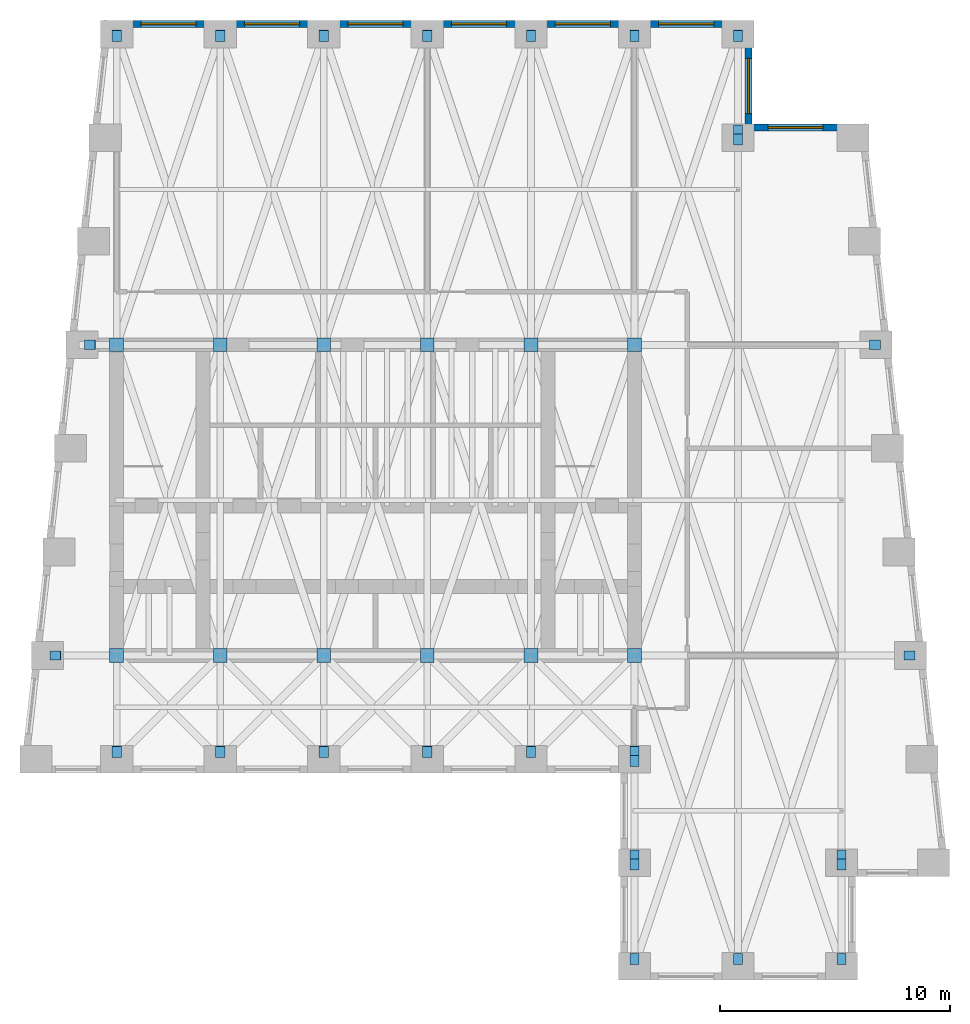
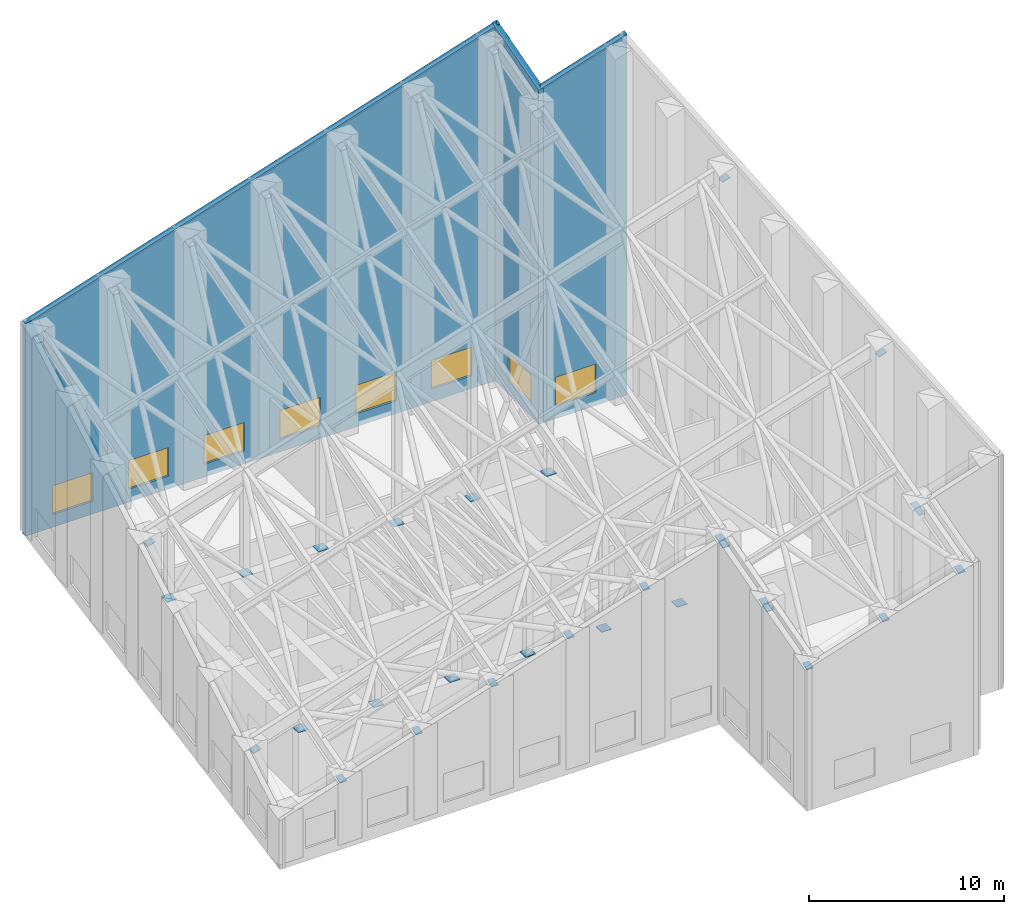
# One storey, part 6 of 7: 39 discrete accessories, 8 windows, 3 walls, 8 openings.
"""IFC4 building model written with IfcOpenShell, lengths in metres."""

from ifc_helpers import new_model, si_unit, direction, frame, frame_2d, origin, place, context, subcontext, project, spatial, polyline, rectangle, outline, extrude, clip, halfspace, source, transform, mapped, material, layer, layer_set, type_object, element, fill, save


model = new_model("IFC4")

# Units and contexts
model_context = context("Model", 3, precision=1e-05, world=origin(), true_north=direction((0.0, 1.0)))
body_context = subcontext(model_context, "Body", "Model", "MODEL_VIEW")
ifc_project = project(units=[si_unit("LENGTHUNIT", "METRE"), si_unit("AREAUNIT", "SQUARE_METRE"), si_unit("VOLUMEUNIT", "CUBIC_METRE"), si_unit("PLANEANGLEUNIT", "RADIAN"), si_unit("MASSUNIT", "GRAM", prefix="KILO")], contexts=[model_context])

# Site, building, storey
site_placement = place(None, origin())
site = spatial("IfcSite", under=ifc_project, at=site_placement, CompositionType="ELEMENT")
building_placement = place(site_placement, origin())
building = spatial("IfcBuilding", under=site, at=building_placement, Name="Kilele Tower Hotel", CompositionType="ELEMENT")
storey_placement = place(building_placement, frame((0.0, 0.0, 289.699951171875)))
storey = spatial("IfcBuildingStorey", under=building, at=storey_placement, Name="CROWN", CompositionType="ELEMENT", Elevation=289.699951171875)

# Wall, opening, window
ifc_material_1 = material(Name="Concrete C40/50 precast", Category="concrete")
ifc_layer_1 = layer(ifc_material_1, 0.260009765625, Name="Precast backing", Category="LoadBearing")
ifc_material_2 = material(Name="Reconstituted stone finish", Category="masonry")
ifc_layer_2 = layer(ifc_material_2, 0.0400390625, Name="Face mix", Category="Finish")
ifc_layer_set_1 = layer_set([ifc_layer_1, ifc_layer_2], Name="Precast concrete C40/50, reconstituted stone finish")
wall_type = type_object("IfcWallType", Name="Precast stone facade wall 300", PredefinedType="STANDARD", material=ifc_layer_set_1)
wall_1_placement = place(storey_placement, frame((46.052734375, 36.449951171875, -0.300048828125), z_axis=(0.0, 0.0, 1.0), x_axis=(-1.0, 0.0, 0.0)))
wall_1 = element("IfcWall", 1, at=wall_1_placement, inside=storey, type_object=wall_type, Name="Facade wall CROWN edge 7", PredefinedType="STANDARD", context=body_context, shape_type="Clipping", body=[
    clip(extrude(outline(polyline([(0.0, 0.0), (5.252685546875, 0.0), (5.252685546875, 20.99267578125), (0.0, 22.673583984375), (0.0, 0.0)])), frame((0.0, 0.14990234375, 0.0), z_axis=(0.0, -1.0, 0.0), x_axis=(1.0, 0.0, 0.0)), (0.0, 0.0, 1.0), 0.300048828125), halfspace(frame((0.0, 0.0, 22.673583984375), z_axis=(0.294483896091, 0.25767390908, 0.920262675285), x_axis=(0.952424195267, 0.0, -0.304775576894)), False)),
])
opening_1_placement = place(wall_1_placement, frame((1.852783203125, 0.0, 0.800048828125)))
opening_1 = element("IfcOpeningElement", 2, at=opening_1_placement, cuts=wall_1, Name="Opening LV2", PredefinedType="OPENING", context=body_context, shape_type="SweptSolid", body=[
    extrude(rectangle(XDim=2.39990234375, YDim=1.800048828125, at=frame_2d((1.199951171875, 0.89990234375))), frame((0.0, 0.159912109375, 0.0), z_axis=(0.0, -1.0, 0.0), x_axis=(1.0, 0.0, 0.0)), (0.0, 0.0, 1.0), 0.320068359375),
])
ifc_material_3 = material(Name="Aluminium weather louvre with insect mesh", Category="aluminium")
window_type = type_object("IfcWindowType", Name="Crown plant louvre 2400 x 1800", PartitioningType="SINGLE_PANEL", PredefinedType="USERDEFINED", material=ifc_material_3)
window_1_placement = place(opening_1_placement, origin())
window_1 = element("IfcWindow", 3, at=window_1_placement, inside=storey, type_object=window_type, Name="Louvre CROWN", ObjectType="LOUVRE", OverallHeight=1.800048828125, OverallWidth=2.39990234375, PartitioningType="SINGLE_PANEL", PredefinedType="USERDEFINED", context=body_context, shape_type="SweptSolid", body=[
    extrude(rectangle(XDim=2.39990234375, YDim=1.800048828125, at=frame_2d((1.199951171875, 0.89990234375))), frame((0.0, 0.030029296875, 0.0), z_axis=(0.0, -1.0, 0.0), x_axis=(1.0, 0.0, 0.0)), (0.0, 0.0, 1.0), 0.06005859375),
])
fill(opening_1, window_1)

wall_2_placement = place(storey_placement, frame((40.949951171875, 36.300048828125, -0.300048828125), z_axis=(0.0, 0.0, 1.0), x_axis=(0.0, 1.0, 0.0)))
wall_2 = element("IfcWall", 4, at=wall_2_placement, inside=storey, type_object=wall_type, Name="Facade wall CROWN edge 8", PredefinedType="STANDARD", context=body_context, shape_type="Clipping", body=[
    clip(extrude(outline(polyline([(0.0, 0.0), (4.800048828125, 0.0), (4.800048828125, 22.3427734375), (0.0, 20.998779296875), (0.0, 0.0)])), frame((0.0, 0.14990234375, 0.0), z_axis=(0.0, -1.0, 0.0), x_axis=(1.0, 0.0, 0.0)), (0.0, 0.0, 1.0), 0.300048828125), halfspace(frame((0.0, 0.0, 20.998779296875), z_axis=(-0.25767390908, 0.294483896091, 0.920262675285), x_axis=(0.962963921905, 0.0, 0.269630274838)), False)),
])
opening_2_placement = place(wall_2_placement, frame((0.75, 0.0, 0.800048828125)))
opening_2 = element("IfcOpeningElement", 5, at=opening_2_placement, cuts=wall_2, Name="Opening LV2", PredefinedType="OPENING", context=body_context, shape_type="SweptSolid", body=[
    extrude(rectangle(XDim=2.39990234375, YDim=1.800048828125, at=frame_2d((1.199951171875, 0.89990234375))), frame((0.0, 0.159912109375, 0.0), z_axis=(0.0, -1.0, 0.0), x_axis=(1.0, 0.0, 0.0)), (0.0, 0.0, 1.0), 0.320068359375),
])
window_2_placement = place(opening_2_placement, origin())
window_2 = element("IfcWindow", 6, at=window_2_placement, inside=storey, type_object=window_type, Name="Louvre CROWN", ObjectType="LOUVRE", OverallHeight=1.800048828125, OverallWidth=2.39990234375, PartitioningType="SINGLE_PANEL", PredefinedType="USERDEFINED", context=body_context, shape_type="SweptSolid", body=[
    extrude(rectangle(XDim=2.39990234375, YDim=1.800048828125, at=frame_2d((1.199951171875, 0.89990234375))), frame((0.0, 0.030029296875, 0.0), z_axis=(0.0, -1.0, 0.0), x_axis=(1.0, 0.0, 0.0)), (0.0, 0.0, 1.0), 0.06005859375),
])
fill(opening_2, window_2)

# Wall, openings, windows
wall_3_placement = place(storey_placement, frame((41.10009765625, 40.949951171875, -0.300048828125), z_axis=(0.0, 0.0, 1.0), x_axis=(-1.0, 0.0, 0.0)))
wall_3 = element("IfcWall", 7, at=wall_3_placement, inside=storey, type_object=wall_type, Name="Facade wall CROWN edge 9", PredefinedType="STANDARD", context=body_context, shape_type="Clipping", body=[
    clip(extrude(outline(polyline([(0.0, 0.0), (28.15283203125, 0.0), (28.15283203125, 13.33984375), (0.0, 22.348876953125), (0.0, 0.0)])), frame((0.0, 0.14990234375, 0.0), z_axis=(0.0, -1.0, 0.0), x_axis=(1.0, 0.0, 0.0)), (0.0, 0.0, 1.0), 0.300048828125), halfspace(frame((0.0, 0.0, 22.348876953125), z_axis=(0.294483896091, 0.25767390908, 0.920262675285), x_axis=(0.952424195267, 0.0, -0.304775576894)), False)),
])
opening_3_placement = place(wall_3_placement, frame((1.64990234375, 0.0, 0.800048828125)))
opening_3 = element("IfcOpeningElement", 8, at=opening_3_placement, cuts=wall_3, Name="Opening LV2", PredefinedType="OPENING", context=body_context, shape_type="SweptSolid", body=[
    extrude(rectangle(XDim=2.39990234375, YDim=1.800048828125, at=frame_2d((1.199951171875, 0.89990234375))), frame((0.0, 0.159912109375, 0.0), z_axis=(0.0, -1.0, 0.0), x_axis=(1.0, 0.0, 0.0)), (0.0, 0.0, 1.0), 0.320068359375),
])
opening_4_placement = place(wall_3_placement, frame((6.14990234375, 0.0, 0.800048828125)))
opening_4 = element("IfcOpeningElement", 9, at=opening_4_placement, cuts=wall_3, Name="Opening LV2", PredefinedType="OPENING", context=body_context, shape_type="SweptSolid", body=[
    extrude(rectangle(XDim=2.39990234375, YDim=1.800048828125, at=frame_2d((1.199951171875, 0.89990234375))), frame((0.0, 0.159912109375, 0.0), z_axis=(0.0, -1.0, 0.0), x_axis=(1.0, 0.0, 0.0)), (0.0, 0.0, 1.0), 0.320068359375),
])
opening_5_placement = place(wall_3_placement, frame((10.64990234375, 0.0, 0.800048828125)))
opening_5 = element("IfcOpeningElement", 10, at=opening_5_placement, cuts=wall_3, Name="Opening LV2", PredefinedType="OPENING", context=body_context, shape_type="SweptSolid", body=[
    extrude(rectangle(XDim=2.39990234375, YDim=1.800048828125, at=frame_2d((1.199951171875, 0.89990234375))), frame((0.0, 0.159912109375, 0.0), z_axis=(0.0, -1.0, 0.0), x_axis=(1.0, 0.0, 0.0)), (0.0, 0.0, 1.0), 0.320068359375),
])
opening_6_placement = place(wall_3_placement, frame((15.14990234375, 0.0, 0.800048828125)))
opening_6 = element("IfcOpeningElement", 11, at=opening_6_placement, cuts=wall_3, Name="Opening LV2", PredefinedType="OPENING", context=body_context, shape_type="SweptSolid", body=[
    extrude(rectangle(XDim=2.39990234375, YDim=1.800048828125, at=frame_2d((1.199951171875, 0.89990234375))), frame((0.0, 0.159912109375, 0.0), z_axis=(0.0, -1.0, 0.0), x_axis=(1.0, 0.0, 0.0)), (0.0, 0.0, 1.0), 0.320068359375),
])
opening_7_placement = place(wall_3_placement, frame((19.64990234375, 0.0, 0.800048828125)))
opening_7 = element("IfcOpeningElement", 12, at=opening_7_placement, cuts=wall_3, Name="Opening LV2", PredefinedType="OPENING", context=body_context, shape_type="SweptSolid", body=[
    extrude(rectangle(XDim=2.39990234375, YDim=1.800048828125, at=frame_2d((1.199951171875, 0.89990234375))), frame((0.0, 0.159912109375, 0.0), z_axis=(0.0, -1.0, 0.0), x_axis=(1.0, 0.0, 0.0)), (0.0, 0.0, 1.0), 0.320068359375),
])
opening_8_placement = place(wall_3_placement, frame((24.14990234375, 0.0, 0.800048828125)))
opening_8 = element("IfcOpeningElement", 13, at=opening_8_placement, cuts=wall_3, Name="Opening LV2", PredefinedType="OPENING", context=body_context, shape_type="SweptSolid", body=[
    extrude(rectangle(XDim=2.39990234375, YDim=1.800048828125, at=frame_2d((1.199951171875, 0.89990234375))), frame((0.0, 0.159912109375, 0.0), z_axis=(0.0, -1.0, 0.0), x_axis=(1.0, 0.0, 0.0)), (0.0, 0.0, 1.0), 0.320068359375),
])
window_3_placement = place(opening_3_placement, origin())
window_3 = element("IfcWindow", 14, at=window_3_placement, inside=storey, type_object=window_type, Name="Louvre CROWN", ObjectType="LOUVRE", OverallHeight=1.800048828125, OverallWidth=2.39990234375, PartitioningType="SINGLE_PANEL", PredefinedType="USERDEFINED", context=body_context, shape_type="SweptSolid", body=[
    extrude(rectangle(XDim=2.39990234375, YDim=1.800048828125, at=frame_2d((1.199951171875, 0.89990234375))), frame((0.0, 0.030029296875, 0.0), z_axis=(0.0, -1.0, 0.0), x_axis=(1.0, 0.0, 0.0)), (0.0, 0.0, 1.0), 0.06005859375),
])
fill(opening_3, window_3)
window_4_placement = place(opening_4_placement, origin())
window_4 = element("IfcWindow", 15, at=window_4_placement, inside=storey, type_object=window_type, Name="Louvre CROWN", ObjectType="LOUVRE", OverallHeight=1.800048828125, OverallWidth=2.39990234375, PartitioningType="SINGLE_PANEL", PredefinedType="USERDEFINED", context=body_context, shape_type="SweptSolid", body=[
    extrude(rectangle(XDim=2.39990234375, YDim=1.800048828125, at=frame_2d((1.199951171875, 0.89990234375))), frame((0.0, 0.030029296875, 0.0), z_axis=(0.0, -1.0, 0.0), x_axis=(1.0, 0.0, 0.0)), (0.0, 0.0, 1.0), 0.06005859375),
])
fill(opening_4, window_4)
window_5_placement = place(opening_5_placement, origin())
window_5 = element("IfcWindow", 16, at=window_5_placement, inside=storey, type_object=window_type, Name="Louvre CROWN", ObjectType="LOUVRE", OverallHeight=1.800048828125, OverallWidth=2.39990234375, PartitioningType="SINGLE_PANEL", PredefinedType="USERDEFINED", context=body_context, shape_type="SweptSolid", body=[
    extrude(rectangle(XDim=2.39990234375, YDim=1.800048828125, at=frame_2d((1.199951171875, 0.89990234375))), frame((0.0, 0.030029296875, 0.0), z_axis=(0.0, -1.0, 0.0), x_axis=(1.0, 0.0, 0.0)), (0.0, 0.0, 1.0), 0.06005859375),
])
fill(opening_5, window_5)
window_6_placement = place(opening_6_placement, origin())
window_6 = element("IfcWindow", 17, at=window_6_placement, inside=storey, type_object=window_type, Name="Louvre CROWN", ObjectType="LOUVRE", OverallHeight=1.800048828125, OverallWidth=2.39990234375, PartitioningType="SINGLE_PANEL", PredefinedType="USERDEFINED", context=body_context, shape_type="SweptSolid", body=[
    extrude(rectangle(XDim=2.39990234375, YDim=1.800048828125, at=frame_2d((1.199951171875, 0.89990234375))), frame((0.0, 0.030029296875, 0.0), z_axis=(0.0, -1.0, 0.0), x_axis=(1.0, 0.0, 0.0)), (0.0, 0.0, 1.0), 0.06005859375),
])
fill(opening_6, window_6)
window_7_placement = place(opening_7_placement, origin())
window_7 = element("IfcWindow", 18, at=window_7_placement, inside=storey, type_object=window_type, Name="Louvre CROWN", ObjectType="LOUVRE", OverallHeight=1.800048828125, OverallWidth=2.39990234375, PartitioningType="SINGLE_PANEL", PredefinedType="USERDEFINED", context=body_context, shape_type="SweptSolid", body=[
    extrude(rectangle(XDim=2.39990234375, YDim=1.800048828125, at=frame_2d((1.199951171875, 0.89990234375))), frame((0.0, 0.030029296875, 0.0), z_axis=(0.0, -1.0, 0.0), x_axis=(1.0, 0.0, 0.0)), (0.0, 0.0, 1.0), 0.06005859375),
])
fill(opening_7, window_7)
window_8_placement = place(opening_8_placement, origin())
window_8 = element("IfcWindow", 19, at=window_8_placement, inside=storey, type_object=window_type, Name="Louvre CROWN", ObjectType="LOUVRE", OverallHeight=1.800048828125, OverallWidth=2.39990234375, PartitioningType="SINGLE_PANEL", PredefinedType="USERDEFINED", context=body_context, shape_type="SweptSolid", body=[
    extrude(rectangle(XDim=2.39990234375, YDim=1.800048828125, at=frame_2d((1.199951171875, 0.89990234375))), frame((0.0, 0.030029296875, 0.0), z_axis=(0.0, -1.0, 0.0), x_axis=(1.0, 0.0, 0.0)), (0.0, 0.0, 1.0), 0.06005859375),
])
fill(opening_8, window_8)

# Discrete accessories
ifc_material_4 = material(Name="Steel S355", Category="steel")
ifc_layer_3 = layer(ifc_material_4, 0.0400390625)
ifc_layer_set_2 = layer_set([ifc_layer_3], Name="Steel S355")
discrete_accessory_type_1 = type_object("IfcDiscreteAccessoryType", Name="Crown post base plate 600x600x40", PredefinedType="ANCHORPLATE", material=ifc_layer_set_2)
shared_shape_1 = source(origin(), body_context, "Body", "SweptSolid", [
    extrude(outline(polyline([(0.0, 0.0), (0.60009765625, 0.0), (0.60009765625, 0.0400390625), (0.0, 0.0400390625), (0.0, 0.0)])), origin(), (0.0, 0.0, 1.0), 0.60009765625),
])
for number, where, z_axis, x_axis, name in (
    (20, (13.199951171875, 13.800048828125, 4.0), (0.0, -1.0, 0.0), (1.0, 0.0, 0.0), "Crown post base plate"),
    (21, (17.699951171875, 13.800048828125, 4.0), (0.0, -1.0, 0.0), (1.0, 0.0, 0.0), "Crown post base plate"),
    (22, (22.199951171875, 13.800048828125, 4.0), (0.0, -1.0, 0.0), (1.0, 0.0, 0.0), "Crown post base plate"),
    (23, (26.699951171875, 13.800048828125, 4.0), (0.0, -1.0, 0.0), (1.0, 0.0, 0.0), "Crown post base plate"),
    (24, (31.199951171875, 13.800048828125, 4.0), (0.0, -1.0, 0.0), (1.0, 0.0, 0.0), "Crown post base plate"),
    (25, (35.699951171875, 13.800048828125, 4.0), (0.0, -1.0, 0.0), (1.0, 0.0, 0.0), "Crown post base plate"),
    (26, (13.199951171875, 27.300048828125, 4.0), (0.0, -1.0, 0.0), (1.0, 0.0, 0.0), "Crown post base plate"),
    (27, (17.699951171875, 27.300048828125, 4.0), (0.0, -1.0, 0.0), (1.0, 0.0, 0.0), "Crown post base plate"),
    (28, (22.199951171875, 27.300048828125, 4.0), (0.0, -1.0, 0.0), (1.0, 0.0, 0.0), "Crown post base plate"),
    (29, (26.699951171875, 27.300048828125, 4.0), (0.0, -1.0, 0.0), (1.0, 0.0, 0.0), "Crown post base plate"),
    (30, (31.199951171875, 27.300048828125, 4.0), (0.0, -1.0, 0.0), (1.0, 0.0, 0.0), "Crown post base plate"),
    (31, (35.699951171875, 27.300048828125, 4.0), (0.0, -1.0, 0.0), (1.0, 0.0, 0.0), "Crown post base plate"),
):
    element("IfcDiscreteAccessory", number, at=place(storey_placement, frame(where, z_axis=z_axis, x_axis=x_axis)), inside=storey, type_object=discrete_accessory_type_1, Name=name, PredefinedType="ANCHORPLATE", context=body_context, shape_type="MappedRepresentation", body=[
        mapped(shared_shape_1, transform((0.0, 0.0, 0.0))),
    ])
ifc_material_5 = material(Name="Steel S355", Category="steel")
ifc_layer_4 = layer(ifc_material_5, 0.0400390625)
ifc_layer_set_3 = layer_set([ifc_layer_4], Name="Steel S355")
discrete_accessory_type_2 = type_object("IfcDiscreteAccessoryType", Name="Pier head bearing plate 500x400x40", PredefinedType="ANCHORPLATE", material=ifc_layer_set_3)
shared_shape_2 = source(origin(), body_context, "Body", "SweptSolid", [
    extrude(outline(polyline([(-0.050048828125, -0.0400390625), (0.449951171875, -0.0400390625), (0.449951171875, 0.0), (-0.050048828125, 0.0), (-0.050048828125, -0.0400390625)])), origin(), (0.0, 0.0, 1.0), 0.39990234375),
])
for number, where, z_axis, x_axis, name in (
    (32, (10.64111328125, 13.699951171875, 3.594970703125), (0.0, -1.0, 0.0), (0.952424, 0.0, 0.304776), "Pier head bearing plate"),
    (33, (12.14111328125, 27.199951171875, 7.85498046875), (0.0, -1.0, 0.0), (0.952424, 0.0, 0.304776), "Pier head bearing plate"),
    (34, (13.300048828125, 9.11474609375, 3.371337890625), (1.0, 0.0, 0.0), (0.0, 0.962964, 0.26963), "Pier head bearing plate"),
    (35, (17.800048828125, 9.11474609375, 4.811279296875), (1.0, 0.0, 0.0), (0.0, 0.962964, 0.26963), "Pier head bearing plate"),
    (36, (22.300048828125, 9.11474609375, 6.251220703125), (1.0, 0.0, 0.0), (0.0, 0.962964, 0.26963), "Pier head bearing plate"),
    (37, (26.800048828125, 9.11474609375, 7.691162109375), (1.0, 0.0, 0.0), (0.0, 0.962964, 0.26963), "Pier head bearing plate"),
    (38, (31.300048828125, 9.11474609375, 9.13134765625), (1.0, 0.0, 0.0), (0.0, 0.962964, 0.26963), "Pier head bearing plate"),
    (39, (35.800048828125, 0.11474609375, 8.05126953125), (1.0, 0.0, 0.0), (0.0, 0.962964, 0.26963), "Pier head bearing plate"),
    (40, (35.800048828125, 4.61474609375, 9.311279296875), (1.0, 0.0, 0.0), (0.0, 0.962964, 0.26963), "Pier head bearing plate"),
    (41, (35.800048828125, 9.11474609375, 10.5712890625), (1.0, 0.0, 0.0), (0.0, 0.962964, 0.26963), "Pier head bearing plate"),
    (42, (40.300048828125, 0.11474609375, 9.4912109375), (1.0, 0.0, 0.0), (0.0, 0.962964, 0.26963), "Pier head bearing plate"),
    (43, (40.300048828125, 36.11474609375, 19.5712890625), (1.0, 0.0, 0.0), (0.0, 0.962964, 0.26963), "Pier head bearing plate"),
    (44, (44.800048828125, 0.11474609375, 10.93115234375), (1.0, 0.0, 0.0), (0.0, 0.962964, 0.26963), "Pier head bearing plate"),
    (45, (44.800048828125, 4.61474609375, 12.191162109375), (1.0, 0.0, 0.0), (0.0, 0.962964, 0.26963), "Pier head bearing plate"),
):
    element("IfcDiscreteAccessory", number, at=place(storey_placement, frame(where, z_axis=z_axis, x_axis=x_axis)), inside=storey, type_object=discrete_accessory_type_2, Name=name, PredefinedType="ANCHORPLATE", context=body_context, shape_type="MappedRepresentation", body=[
        mapped(shared_shape_2, transform((0.0, 0.0, 0.0))),
    ])
shared_shape_3 = source(origin(), body_context, "Body", "SweptSolid", [
    extrude(outline(polyline([(-0.449951171875, -0.0400390625), (0.050048828125, -0.0400390625), (0.050048828125, 0.0), (-0.449951171875, 0.0), (-0.449951171875, -0.0400390625)])), origin(), (0.0, 0.0, 1.0), 0.39990234375),
])
for number, where, z_axis, x_axis, name in (
    (46, (48.14111328125, 13.699951171875, 15.594970703125), (0.0, -1.0, 0.0), (0.952424, 0.0, 0.304776), "Pier head bearing plate"),
    (47, (46.64111328125, 27.199951171875, 18.89501953125), (0.0, -1.0, 0.0), (0.952424, 0.0, 0.304776), "Pier head bearing plate"),
    (48, (13.300048828125, 40.61474609375, 12.191162109375), (1.0, 0.0, 0.0), (0.0, 0.962964, 0.26963), "Pier head bearing plate"),
    (49, (17.800048828125, 40.61474609375, 13.63134765625), (1.0, 0.0, 0.0), (0.0, 0.962964, 0.26963), "Pier head bearing plate"),
    (50, (22.300048828125, 40.61474609375, 15.0712890625), (1.0, 0.0, 0.0), (0.0, 0.962964, 0.26963), "Pier head bearing plate"),
    (51, (26.800048828125, 40.61474609375, 16.51123046875), (1.0, 0.0, 0.0), (0.0, 0.962964, 0.26963), "Pier head bearing plate"),
    (52, (31.300048828125, 40.61474609375, 17.951171875), (1.0, 0.0, 0.0), (0.0, 0.962964, 0.26963), "Pier head bearing plate"),
    (53, (35.800048828125, 4.61474609375, 9.311279296875), (1.0, 0.0, 0.0), (0.0, 0.962964, 0.26963), "Pier head bearing plate"),
    (54, (35.800048828125, 9.11474609375, 10.5712890625), (1.0, 0.0, 0.0), (0.0, 0.962964, 0.26963), "Pier head bearing plate"),
    (55, (35.800048828125, 40.61474609375, 19.391357421875), (1.0, 0.0, 0.0), (0.0, 0.962964, 0.26963), "Pier head bearing plate"),
    (56, (40.300048828125, 36.11474609375, 19.5712890625), (1.0, 0.0, 0.0), (0.0, 0.962964, 0.26963), "Pier head bearing plate"),
    (57, (40.300048828125, 40.61474609375, 20.831298828125), (1.0, 0.0, 0.0), (0.0, 0.962964, 0.26963), "Pier head bearing plate"),
    (58, (44.800048828125, 4.61474609375, 12.191162109375), (1.0, 0.0, 0.0), (0.0, 0.962964, 0.26963), "Pier head bearing plate"),
):
    element("IfcDiscreteAccessory", number, at=place(storey_placement, frame(where, z_axis=z_axis, x_axis=x_axis)), inside=storey, type_object=discrete_accessory_type_2, Name=name, PredefinedType="ANCHORPLATE", context=body_context, shape_type="MappedRepresentation", body=[
        mapped(shared_shape_3, transform((0.0, 0.0, 0.0))),
    ])

save(model, "model.ifc")
